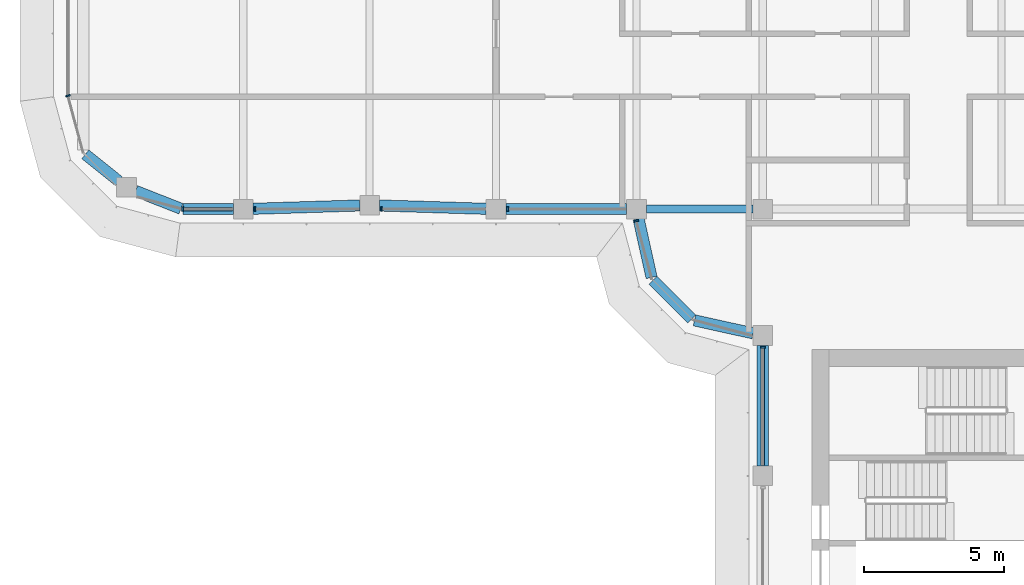
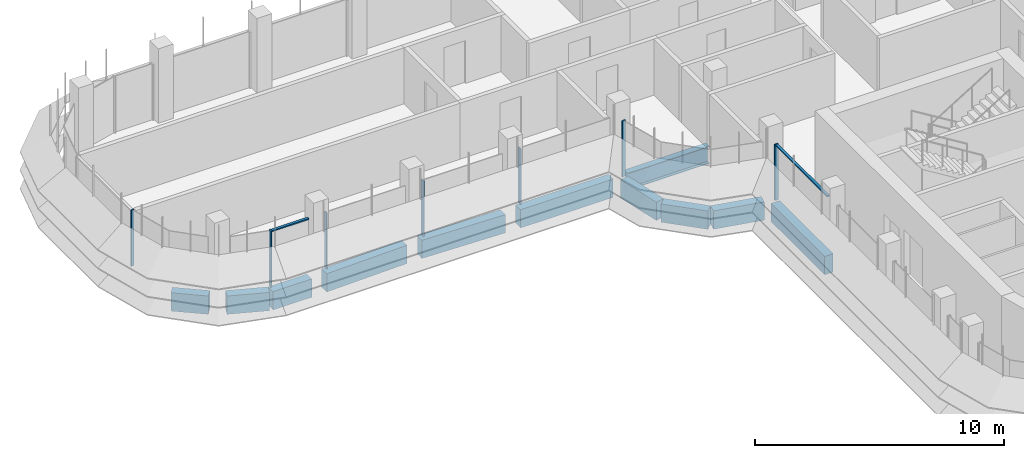
# One storey, part 3 of 19: 11 beams, 9 members, 4 elements without a shape of their own.
"""IFC4 building model written with IfcOpenShell, lengths in metres."""

from ifc_helpers import new_model, si_unit, direction, frame, origin, origin_2d, place, context, subcontext, project, spatial, polyline, rectangle, i_section, outline, extrude, source, transform, mapped, material, material_profile, profile_set, type_object, element, aggregate, save


model = new_model("IFC4")

# Units and contexts
model_context = context("Model", 3, precision=1e-05, world=origin(), true_north=direction((0.0, 1.0)))
body_context = subcontext(model_context, "Body", "Model", "MODEL_VIEW")
ifc_project = project(units=[si_unit("LENGTHUNIT", "METRE"), si_unit("AREAUNIT", "SQUARE_METRE"), si_unit("VOLUMEUNIT", "CUBIC_METRE"), si_unit("PLANEANGLEUNIT", "RADIAN"), si_unit("MASSUNIT", "GRAM", prefix="KILO")], contexts=[model_context])

# Site, building, storey
site_placement = place(None, origin())
site = spatial("IfcSite", under=ifc_project, at=site_placement, CompositionType="ELEMENT")
building_placement = place(site_placement, origin())
building = spatial("IfcBuilding", under=site, at=building_placement, Name="Zarbagh Exchange Tower", CompositionType="ELEMENT")
storey_placement = place(building_placement, frame((0.0, 0.0, 203.0)))
storey = spatial("IfcBuildingStorey", under=building, at=storey_placement, Name="L49", CompositionType="ELEMENT", Elevation=203.0)

# Beams
ifc_material_1 = material(Name="Steel ASTM A992 Gr 50", Category="steel")
ifc_material_profile_1 = material_profile(ifc_material_1, i_section(OverallWidth=0.2919921875, OverallDepth=0.835693359375, WebThickness=0.013916015625, FlangeThickness=0.018798828125, at=origin_2d()), Name="W33X118")
ifc_profile_set_1 = profile_set([ifc_material_profile_1], Name="Steel ASTM A992 Gr 50")
beam_type_1 = type_object("IfcBeamType", Name="Floor girder W33X118", PredefinedType="BEAM", material=ifc_profile_set_1)
beam_1_placement = place(storey_placement, frame((-10.39990234375, -6.25, -0.56787109375), z_axis=(1.0, 0.0, 0.0), x_axis=(0.0, 1.0, 0.0)))
element("IfcBeam", 1, at=beam_1_placement, inside=storey, type_object=beam_type_1, Name="Steel girder", PredefinedType="BEAM", context=body_context, shape_type="SweptSolid", body=[
    extrude(i_section(OverallWidth=0.2919921875, OverallDepth=0.835693359375, WebThickness=0.013916015625, FlangeThickness=0.018798828125, at=origin_2d()), origin(), (0.0, 0.0, 1.0), 3.7998046875),
])
ifc_material_2 = material(Name="Concrete C50/60", Category="concrete")
ifc_material_profile_2 = material_profile(ifc_material_2, rectangle(XDim=0.39990234375, YDim=0.89990234375, at=origin_2d()), Name="RC spandrel beam 400 x 900 C50/60")
ifc_profile_set_2 = profile_set([ifc_material_profile_2], Name="Concrete C50/60")
beam_type_2 = type_object("IfcBeamType", Name="RC spandrel beam 400 x 900 C50/60", PredefinedType="SPANDREL", material=ifc_profile_set_2)
beam_2_placement = place(storey_placement, frame((-6.25, -15.39990234375, -0.60009765625), z_axis=(0.0, 1.0, 0.0), x_axis=(-1.0, 0.0, 0.0)))
element("IfcBeam", 2, at=beam_2_placement, inside=storey, type_object=beam_type_2, Name="RC spandrel beam", PredefinedType="SPANDREL", context=body_context, shape_type="SweptSolid", body=[
    extrude(rectangle(XDim=0.39990234375, YDim=0.89990234375, at=origin_2d()), origin(), (0.0, 0.0, 1.0), 4.2998046875),
])
beam_3_placement = place(storey_placement, frame((-6.591796875, -10.67431640625, -0.60009765625), z_axis=(-0.97639036545, 0.216013551096, 0.0), x_axis=(-0.216013551096, -0.97639036545, 0.0)))
element("IfcBeam", 3, at=beam_3_placement, inside=storey, type_object=beam_type_2, Name="RC spandrel beam", PredefinedType="SPANDREL", context=body_context, shape_type="SweptSolid", body=[
    extrude(rectangle(XDim=0.39990234375, YDim=0.89990234375, at=origin_2d()), origin(), (0.0, 0.0, 1.0), 2.142822265625),
])
beam_4_placement = place(storey_placement, frame((-8.782470703125, -10.15771484375, -0.60009765625), z_axis=(-0.707106781187, 0.707106781187, 0.0), x_axis=(-0.707106781187, -0.707106781187, 0.0)))
element("IfcBeam", 4, at=beam_4_placement, inside=storey, type_object=beam_type_2, Name="RC spandrel beam", PredefinedType="SPANDREL", context=body_context, shape_type="SweptSolid", body=[
    extrude(rectangle(XDim=0.39990234375, YDim=0.89990234375, at=origin_2d()), origin(), (0.0, 0.0, 1.0), 1.94482421875),
])
beam_5_placement = place(storey_placement, frame((-10.21142578125, -8.68408203125, -0.60009765625), z_axis=(-0.216013551096, 0.97639036545, 0.0), x_axis=(-0.97639036545, -0.216013551096, 0.0)))
element("IfcBeam", 5, at=beam_5_placement, inside=storey, type_object=beam_type_2, Name="RC spandrel beam", PredefinedType="SPANDREL", context=body_context, shape_type="SweptSolid", body=[
    extrude(rectangle(XDim=0.39990234375, YDim=0.89990234375, at=origin_2d()), origin(), (0.0, 0.0, 1.0), 2.142822265625),
])
beam_6_placement = place(storey_placement, frame((-11.10009765625, -6.25, -0.60009765625), z_axis=(-1.0, 0.0, 0.0), x_axis=(0.0, -1.0, 0.0)))
element("IfcBeam", 6, at=beam_6_placement, inside=storey, type_object=beam_type_2, Name="RC spandrel beam", PredefinedType="SPANDREL", context=body_context, shape_type="SweptSolid", body=[
    extrude(rectangle(XDim=0.39990234375, YDim=0.89990234375, at=origin_2d()), origin(), (0.0, 0.0, 1.0), 4.2998046875),
])
for number, where, z_axis, x_axis, name in (
    (7, (-16.099853515625, -6.239013671875, -0.60009765625), (-0.999516950199, 0.031078389046, 0.0), (-0.031078389046, -0.999516950199, 0.0), "RC spandrel beam"),
    (8, (-20.599853515625, -6.120849609375, -0.60009765625), (-0.999516950199, -0.031078389046, 0.0), (0.031078389046, -0.999516950199, 0.0), "RC spandrel beam"),
):
    element("IfcBeam", number, at=place(storey_placement, frame(where, z_axis=z_axis, x_axis=x_axis)), inside=storey, type_object=beam_type_2, Name=name, PredefinedType="SPANDREL", context=body_context, shape_type="SweptSolid", body=[
        extrude(rectangle(XDim=0.39990234375, YDim=0.89990234375, at=origin_2d()), origin(), (0.0, 0.0, 1.0), 3.80224609375),
    ])
beam_7_placement = place(storey_placement, frame((-25.10009765625, -6.25, -0.60009765625), z_axis=(-1.0, 0.0, 0.0), x_axis=(0.0, -1.0, 0.0)))
element("IfcBeam", 9, at=beam_7_placement, inside=storey, type_object=beam_type_2, Name="RC spandrel beam", PredefinedType="SPANDREL", context=body_context, shape_type="SweptSolid", body=[
    extrude(rectangle(XDim=0.39990234375, YDim=0.89990234375, at=origin_2d()), origin(), (0.0, 0.0, 1.0), 1.796142578125),
])
beam_8_placement = place(storey_placement, frame((-26.969482421875, -6.236083984375, -0.60009765625), z_axis=(-0.930809711446, 0.365504146457, 0.0), x_axis=(-0.365504146457, -0.930809711446, 0.0)))
element("IfcBeam", 10, at=beam_8_placement, inside=storey, type_object=beam_type_2, Name="RC spandrel beam", PredefinedType="SPANDREL", context=body_context, shape_type="SweptSolid", body=[
    extrude(rectangle(XDim=0.39990234375, YDim=0.89990234375, at=origin_2d()), origin(), (0.0, 0.0, 1.0), 1.732666015625),
])
beam_9_placement = place(storey_placement, frame((-29.18115234375, -5.256103515625, -0.60009765625), z_axis=(-0.780634897504, 0.62498732531, 0.0), x_axis=(-0.62498732531, -0.780634897504, 0.0)))
element("IfcBeam", 11, at=beam_9_placement, inside=storey, type_object=beam_type_2, Name="RC spandrel beam", PredefinedType="SPANDREL", context=body_context, shape_type="SweptSolid", body=[
    extrude(rectangle(XDim=0.39990234375, YDim=0.89990234375, at=origin_2d()), origin(), (0.0, 0.0, 1.0), 1.52783203125),
])

# Curtain wall, member
ifc_material_3 = material(Name="Anodised aluminium frame and glazing", Category="aluminium")
curtain_wall_type = type_object("IfcCurtainWallType", Name="CWB Ribbon glazing, upper zones", PredefinedType="NOTDEFINED", material=ifc_material_3)
curtain_wall_1_placement = place(storey_placement, origin())
curtain_wall_1 = element("IfcCurtainWall", 12, at=curtain_wall_1_placement, inside=storey, type_object=curtain_wall_type, Name="CWB62 curtain wall", PredefinedType="NOTDEFINED")
ifc_material_4 = material(Name="Anodised aluminium frame", Category="aluminium")
member_type_1 = type_object("IfcMemberType", Name="MUB Mullion, anodised aluminium frame", PredefinedType="MULLION", material=ifc_material_4)
shared_shape_1 = source(origin(), body_context, "Body", "SweptSolid", [
    extrude(outline(polyline([(0.0, -0.080078125), (0.06005859375, -0.080078125), (0.06005859375, 0.080078125), (0.0, 0.080078125), (0.0, -0.080078125)])), origin(), (0.0, 0.0, 1.0), 2.75),
])
placement = place(storey_placement, origin())
member_1 = element("IfcMember", 13, at=placement, type_object=member_type_1, Name="CWB62 mullion 1.1", PredefinedType="MULLION", context=body_context, shape_type="MappedRepresentation", body=[
    mapped(shared_shape_1, transform((-31.0, -2.18408203125, 0.0), x_axis=(0.258824779902, -0.965924289636, 0.0), y_axis=(0.965924289636, 0.258824779902, 0.0), z_axis=(0.0, 0.0, 1.0))),
])
aggregate(curtain_wall_1, [member_1])

# Curtain wall, members
curtain_wall_2_placement = place(storey_placement, origin())
curtain_wall_2 = element("IfcCurtainWall", 14, at=curtain_wall_2_placement, inside=storey, type_object=curtain_wall_type, Name="CWB65 curtain wall", PredefinedType="NOTDEFINED")
member_2 = element("IfcMember", 15, at=placement, type_object=member_type_1, Name="CWB65 mullion 1.1", PredefinedType="MULLION", context=body_context, shape_type="MappedRepresentation", body=[
    mapped(shared_shape_1, transform((-26.93408203125, -6.25, 0.0), x_axis=(1.0, 0.0, 0.0), y_axis=(0.0, 1.0, 0.0), z_axis=(0.0, 0.0, 1.0))),
])
member_3 = element("IfcMember", 16, at=placement, type_object=member_type_1, Name="CWB65 mullion 2.1", PredefinedType="MULLION", context=body_context, shape_type="MappedRepresentation", body=[
    mapped(shared_shape_1, transform((-24.35986328125, -6.25, 0.0), x_axis=(1.0, 0.0, 0.0), y_axis=(0.0, 1.0, 0.0), z_axis=(0.0, 0.0, 1.0))),
])
member_4 = element("IfcMember", 17, at=placement, type_object=member_type_1, Name="CWB65 mullion 3.1", PredefinedType="MULLION", context=body_context, shape_type="MappedRepresentation", body=[
    mapped(shared_shape_1, transform((-19.85986328125, -6.25, 0.0), x_axis=(1.0, 0.0, 0.0), y_axis=(0.0, 1.0, 0.0), z_axis=(0.0, 0.0, 1.0))),
])
member_5 = element("IfcMember", 18, at=placement, type_object=member_type_1, Name="CWB65 mullion 4.1", PredefinedType="MULLION", context=body_context, shape_type="MappedRepresentation", body=[
    mapped(shared_shape_1, transform((-15.35986328125, -6.25, 0.0), x_axis=(1.0, 0.0, 0.0), y_axis=(0.0, 1.0, 0.0), z_axis=(0.0, 0.0, 1.0))),
])

# Curtain wall, member
curtain_wall_3_placement = place(storey_placement, origin())
curtain_wall_3 = element("IfcCurtainWall", 19, at=curtain_wall_3_placement, inside=storey, type_object=curtain_wall_type, Name="CWB41 curtain wall", PredefinedType="NOTDEFINED")
member_6 = element("IfcMember", 20, at=placement, type_object=member_type_1, Name="CWB41 mullion 1.1", PredefinedType="MULLION", context=body_context, shape_type="MappedRepresentation", body=[
    mapped(shared_shape_1, transform((-10.76171875, -6.64013671875, 0.0), x_axis=(0.258824779902, -0.965924289636, 0.0), y_axis=(0.965924289636, 0.258824779902, 0.0), z_axis=(0.0, 0.0, 1.0))),
])
aggregate(curtain_wall_3, [member_6])

curtain_wall_4_placement = place(storey_placement, origin())
curtain_wall_4 = element("IfcCurtainWall", 21, at=curtain_wall_4_placement, inside=storey, type_object=curtain_wall_type, Name="CWB53 curtain wall", PredefinedType="NOTDEFINED")
member_7 = element("IfcMember", 22, at=placement, type_object=member_type_1, Name="CWB53 mullion 1.1", PredefinedType="MULLION", context=body_context, shape_type="MappedRepresentation", body=[
    mapped(shared_shape_1, transform((-6.25, -11.14013671875, 0.0), x_axis=(0.0, -1.0, 0.0), y_axis=(1.0, 0.0, 0.0), z_axis=(0.0, 0.0, 1.0))),
])

# Member
member_type_2 = type_object("IfcMemberType", Name="TRB Transom, anodised aluminium frame", PredefinedType="USERDEFINED", material=ifc_material_4)
shared_shape_2 = source(origin(), body_context, "Body", "SweptSolid", [
    extrude(outline(polyline([(-0.06005859375, -0.06005859375), (0.0, -0.06005859375), (0.0, 0.06005859375), (-0.06005859375, 0.06005859375), (-0.06005859375, -0.06005859375)])), origin(), (0.0, 0.0, 1.0), 1.734130859375),
])
member_8 = element("IfcMember", 23, at=placement, type_object=member_type_2, Name="CWB65 transom 1.1", ObjectType="TRANSOM", PredefinedType="USERDEFINED", context=body_context, shape_type="MappedRepresentation", body=[
    mapped(shared_shape_2, transform((-26.874267578125, -6.25, 2.75), x_axis=(0.0, 0.0, 1.0), y_axis=(0.0, -1.0, 0.0), z_axis=(1.0, 0.0, 0.0))),
])

aggregate(curtain_wall_2, [member_2, member_8, member_3, member_4, member_5])

shared_shape_3 = source(origin(), body_context, "Body", "SweptSolid", [
    extrude(outline(polyline([(-0.06005859375, -0.06005859375), (0.0, -0.06005859375), (0.0, 0.06005859375), (-0.06005859375, 0.06005859375), (-0.06005859375, -0.06005859375)])), origin(), (0.0, 0.0, 1.0), 4.159912109375),
])
member_9 = element("IfcMember", 24, at=placement, type_object=member_type_2, Name="CWB53 transom 1.1", ObjectType="TRANSOM", PredefinedType="USERDEFINED", context=body_context, shape_type="MappedRepresentation", body=[
    mapped(shared_shape_3, transform((-6.25, -11.199951171875, 2.75), x_axis=(0.0, 0.0, 1.0), y_axis=(-1.0, 0.0, 0.0), z_axis=(0.0, -1.0, 0.0))),
])

aggregate(curtain_wall_4, [member_7, member_9])

save(model, "model.ifc")
